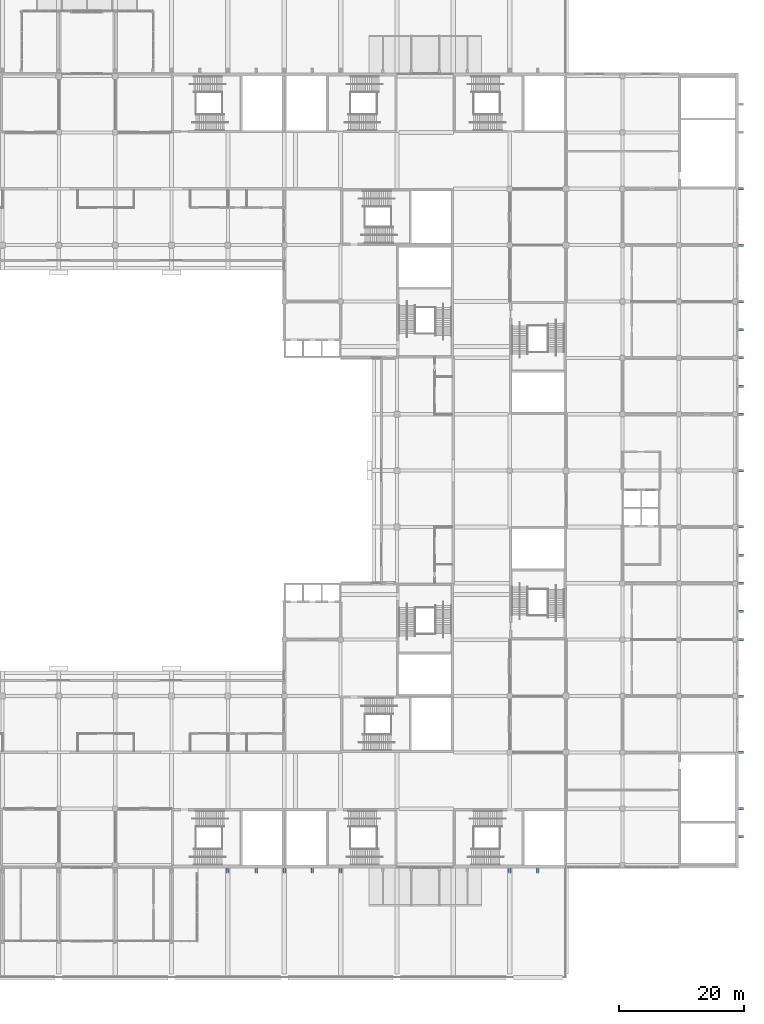
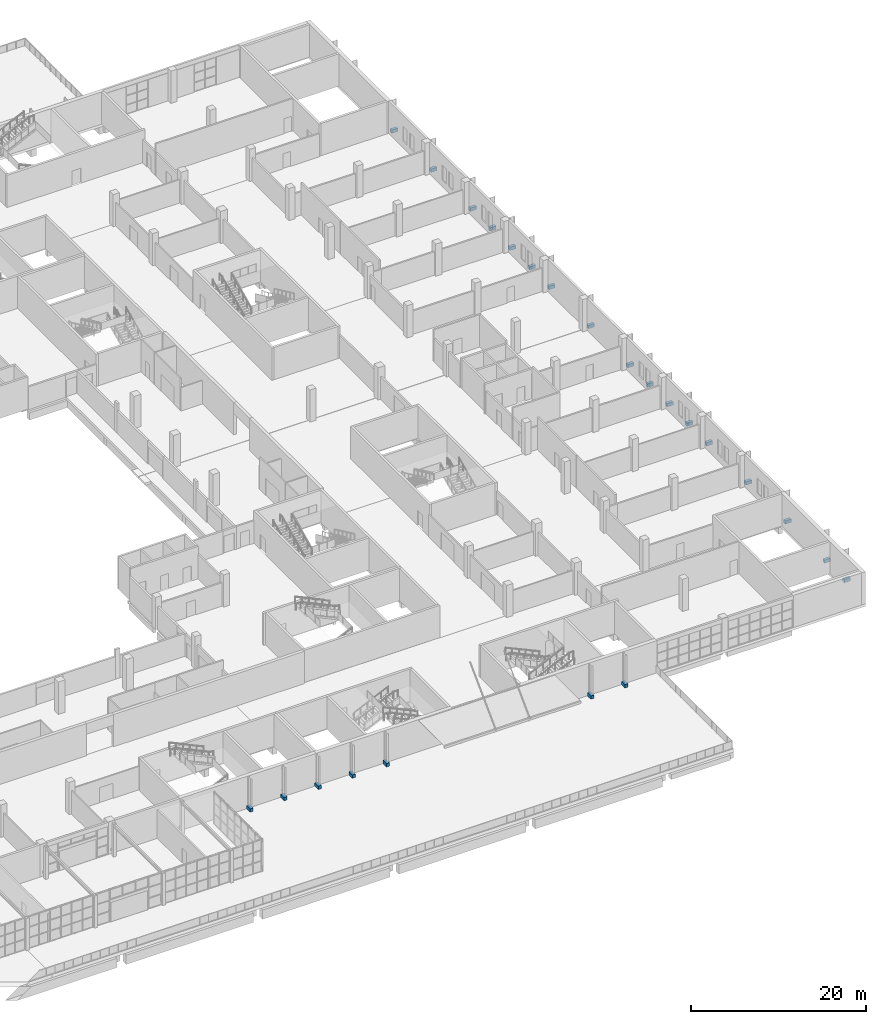
# One storey, part 116 of 168: 24 discrete accessories.
"""IFC4 building model written with IfcOpenShell, lengths in metres."""

from ifc_helpers import new_model, si_unit, direction, frame, origin, origin_2d, place, context, subcontext, project, spatial, rectangle, extrude, material, type_object, element, save


model = new_model("IFC4")

# Units and contexts
model_context = context("Model", 3, precision=1e-05, world=origin(), true_north=direction((0.0, 1.0)))
body_context = subcontext(model_context, "Body", "Model", "MODEL_VIEW")
ifc_project = project(units=[si_unit("LENGTHUNIT", "METRE"), si_unit("AREAUNIT", "SQUARE_METRE"), si_unit("VOLUMEUNIT", "CUBIC_METRE"), si_unit("PLANEANGLEUNIT", "RADIAN"), si_unit("MASSUNIT", "GRAM", prefix="KILO")], contexts=[model_context])

# Site, building, storey
site_placement = place(None, origin())
site = spatial("IfcSite", under=ifc_project, at=site_placement, CompositionType="ELEMENT")
building_placement = place(site_placement, origin())
building = spatial("IfcBuilding", under=site, at=building_placement, Name="Silverbay Arena", CompositionType="ELEMENT")
storey_placement = place(building_placement, frame((0.0, 0.0, 7.0)))
storey = spatial("IfcBuildingStorey", under=building, at=storey_placement, Name="L01", CompositionType="ELEMENT", Elevation=7.0)

# Discrete accessories
ifc_material = material(Name="Steel S355", Category="steel")
discrete_accessory_type = type_object("IfcDiscreteAccessoryType", Name="Steel bracket plate", PredefinedType="BRACKET", material=ifc_material)
for number, where, z_axis, x_axis, name in (
    (1, (153.0, 17.0986328125, 0.0), (0.0, 0.0, 1.0), (1.0, 0.0, 0.0), "Fin base shoe"),
    (2, (157.5, 17.0986328125, 0.0), (0.0, 0.0, 1.0), (1.0, 0.0, 0.0), "Fin base shoe"),
    (3, (162.0, 17.0986328125, 0.0), (0.0, 0.0, 1.0), (1.0, 0.0, 0.0), "Fin base shoe"),
    (4, (166.5, 17.0986328125, 0.0), (0.0, 0.0, 1.0), (1.0, 0.0, 0.0), "Fin base shoe"),
    (5, (171.0, 17.0986328125, 0.0), (0.0, 0.0, 1.0), (1.0, 0.0, 0.0), "Fin base shoe"),
    (6, (198.0, 17.0986328125, 0.0), (0.0, 0.0, 1.0), (1.0, 0.0, 0.0), "Fin base shoe"),
    (7, (202.5, 17.0986328125, 0.0), (0.0, 0.0, 1.0), (1.0, 0.0, 0.0), "Fin base shoe"),
):
    element("IfcDiscreteAccessory", number, at=place(storey_placement, frame(where, z_axis=z_axis, x_axis=x_axis)), inside=storey, type_object=discrete_accessory_type, Name=name, PredefinedType="BRACKET", context=body_context, shape_type="SweptSolid", body=[
        extrude(rectangle(XDim=0.39990234375, YDim=0.802490234375, at=origin_2d()), origin(), (0.0, 0.0, 1.0), 0.449951171875),
    ])
for number, where, z_axis, x_axis, name in (
    (8, (234.9013671875, 22.5, 0.0), (0.0, 0.0, 1.0), (1.0, 0.0, 0.0), "Fin base shoe"),
    (9, (234.9013671875, 27.0, 0.0), (0.0, 0.0, 1.0), (1.0, 0.0, 0.0), "Fin base shoe"),
    (10, (234.9013671875, 36.0, 0.0), (0.0, 0.0, 1.0), (1.0, 0.0, 0.0), "Fin base shoe"),
    (11, (234.9013671875, 45.0, 0.0), (0.0, 0.0, 1.0), (1.0, 0.0, 0.0), "Fin base shoe"),
    (12, (234.9013671875, 54.0, 0.0), (0.0, 0.0, 1.0), (1.0, 0.0, 0.0), "Fin base shoe"),
    (13, (234.9013671875, 58.5, 0.0), (0.0, 0.0, 1.0), (1.0, 0.0, 0.0), "Fin base shoe"),
    (14, (234.9013671875, 63.0, 0.0), (0.0, 0.0, 1.0), (1.0, 0.0, 0.0), "Fin base shoe"),
    (15, (234.9013671875, 67.5, 0.0), (0.0, 0.0, 1.0), (1.0, 0.0, 0.0), "Fin base shoe"),
    (16, (234.9013671875, 72.0, 0.0), (0.0, 0.0, 1.0), (1.0, 0.0, 0.0), "Fin base shoe"),
    (17, (234.9013671875, 81.0, 0.0), (0.0, 0.0, 1.0), (1.0, 0.0, 0.0), "Fin base shoe"),
    (18, (234.9013671875, 90.0, 0.0), (0.0, 0.0, 1.0), (1.0, 0.0, 0.0), "Fin base shoe"),
    (19, (234.9013671875, 94.5, 0.0), (0.0, 0.0, 1.0), (1.0, 0.0, 0.0), "Fin base shoe"),
    (20, (234.9013671875, 99.0, 0.0), (0.0, 0.0, 1.0), (1.0, 0.0, 0.0), "Fin base shoe"),
    (21, (234.9013671875, 103.5, 0.0), (0.0, 0.0, 1.0), (1.0, 0.0, 0.0), "Fin base shoe"),
    (22, (234.9013671875, 108.0, 0.0), (0.0, 0.0, 1.0), (1.0, 0.0, 0.0), "Fin base shoe"),
    (23, (234.9013671875, 117.0, 0.0), (0.0, 0.0, 1.0), (1.0, 0.0, 0.0), "Fin base shoe"),
    (24, (234.9013671875, 126.0, 0.0), (0.0, 0.0, 1.0), (1.0, 0.0, 0.0), "Fin base shoe"),
):
    element("IfcDiscreteAccessory", number, at=place(storey_placement, frame(where, z_axis=z_axis, x_axis=x_axis)), inside=storey, type_object=discrete_accessory_type, Name=name, PredefinedType="BRACKET", context=body_context, shape_type="SweptSolid", body=[
        extrude(rectangle(XDim=0.802490234375, YDim=0.39990234375, at=origin_2d()), origin(), (0.0, 0.0, 1.0), 0.449951171875),
    ])

save(model, "model.ifc")
